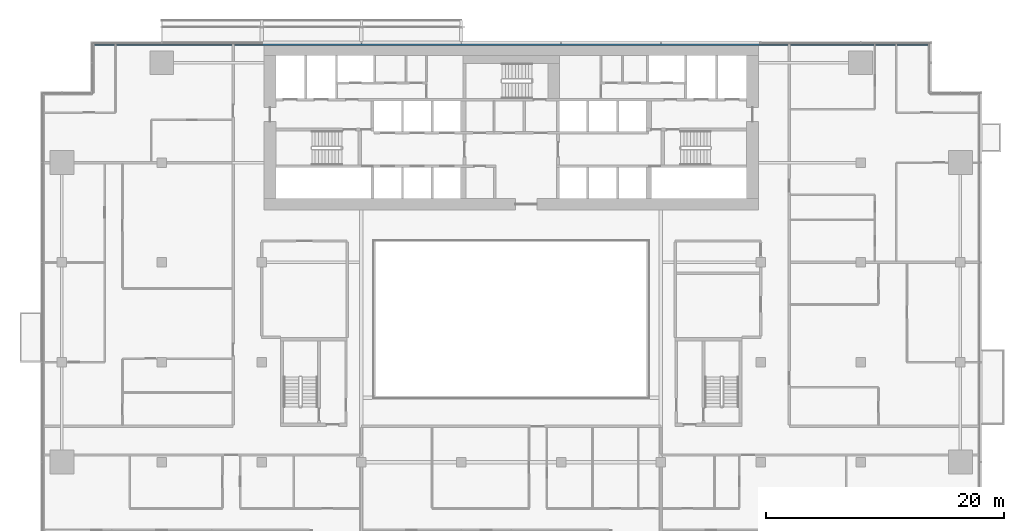
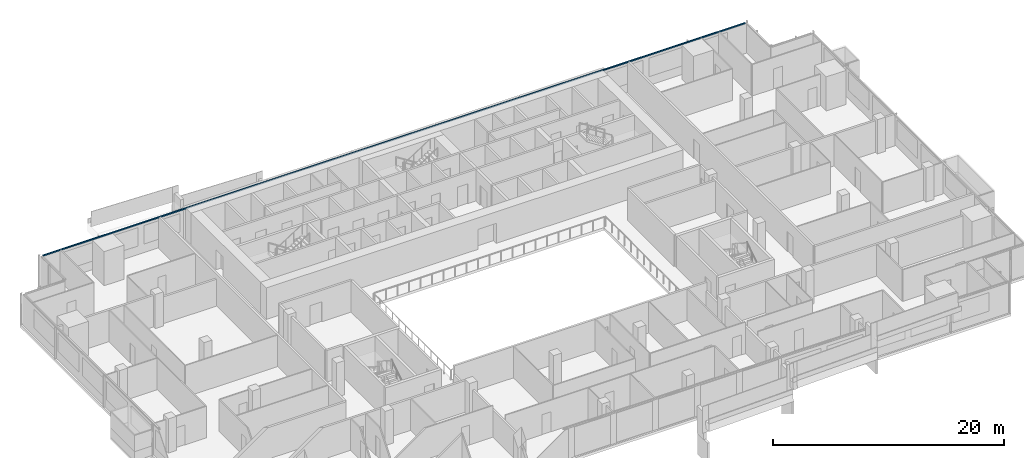
# One storey, part 9 of 27: 1 member, 1 element without a shape of its own.
"""IFC4 building model written with IfcOpenShell, lengths in metres."""

from ifc_helpers import new_model, si_unit, direction, frame, origin, origin_2d, place, context, subcontext, project, spatial, rectangle, extrude, material, material_profile, profile_set, type_object, element, aggregate, save


model = new_model("IFC4")

# Units and contexts
model_context = context("Model", 3, precision=1e-05, world=origin(), true_north=direction((0.0, 1.0)))
body_context = subcontext(model_context, "Body", "Model", "MODEL_VIEW")
ifc_project = project(units=[si_unit("LENGTHUNIT", "METRE"), si_unit("AREAUNIT", "SQUARE_METRE"), si_unit("VOLUMEUNIT", "CUBIC_METRE"), si_unit("PLANEANGLEUNIT", "RADIAN"), si_unit("MASSUNIT", "GRAM", prefix="KILO")], contexts=[model_context])

# Site, building, storey
site_placement = place(None, origin())
site = spatial("IfcSite", under=ifc_project, at=site_placement, CompositionType="ELEMENT")
building_placement = place(site_placement, origin())
building = spatial("IfcBuilding", under=site, at=building_placement, Name="Saffron Gate Tower", CompositionType="ELEMENT")
storey_placement = place(building_placement, frame((0.0, 0.0, 124.050048828125)))
storey = spatial("IfcBuildingStorey", under=building, at=storey_placement, Name="L29", CompositionType="ELEMENT", Elevation=124.050048828125)

# Curtain wall, member
ifc_material = material(Name="Aluminium, bronze anodised", Category="aluminium")
curtain_wall_type = type_object("IfcCurtainWallType", Name="CWS3 curtain wall rear facade", PredefinedType="NOTDEFINED", material=ifc_material)
curtain_wall_placement = place(storey_placement, origin())
curtain_wall = element("IfcCurtainWall", 1, at=curtain_wall_placement, inside=storey, type_object=curtain_wall_type, Name="CWS3 run 7", PredefinedType="NOTDEFINED")
ifc_material_profile = material_profile(ifc_material, rectangle(XDim=0.1201171875, YDim=0.1201171875, at=origin_2d()))
ifc_profile_set = profile_set([ifc_material_profile], Name="Aluminium, bronze anodised")
member_type = type_object("IfcMemberType", Name="CWS3 head transom", PredefinedType="USERDEFINED", material=ifc_profile_set)
member_placement = place(storey_placement, frame((122.632080078125, 75.35205078125, 3.260009765625), z_axis=(-1.0, 0.0, 0.0), x_axis=(0.0, -1.0, 0.0)))
member = element("IfcMember", 2, at=member_placement, type_object=member_type, Name="CWS3 head transom", ObjectType="TRANSOM", PredefinedType="USERDEFINED", context=body_context, shape_type="SweptSolid", body=[
    extrude(rectangle(XDim=0.1201171875, YDim=0.1201171875, at=origin_2d()), origin(), (0.0, 0.0, 1.0), 70.06396484375),
])
aggregate(curtain_wall, [member])

save(model, "model.ifc")
